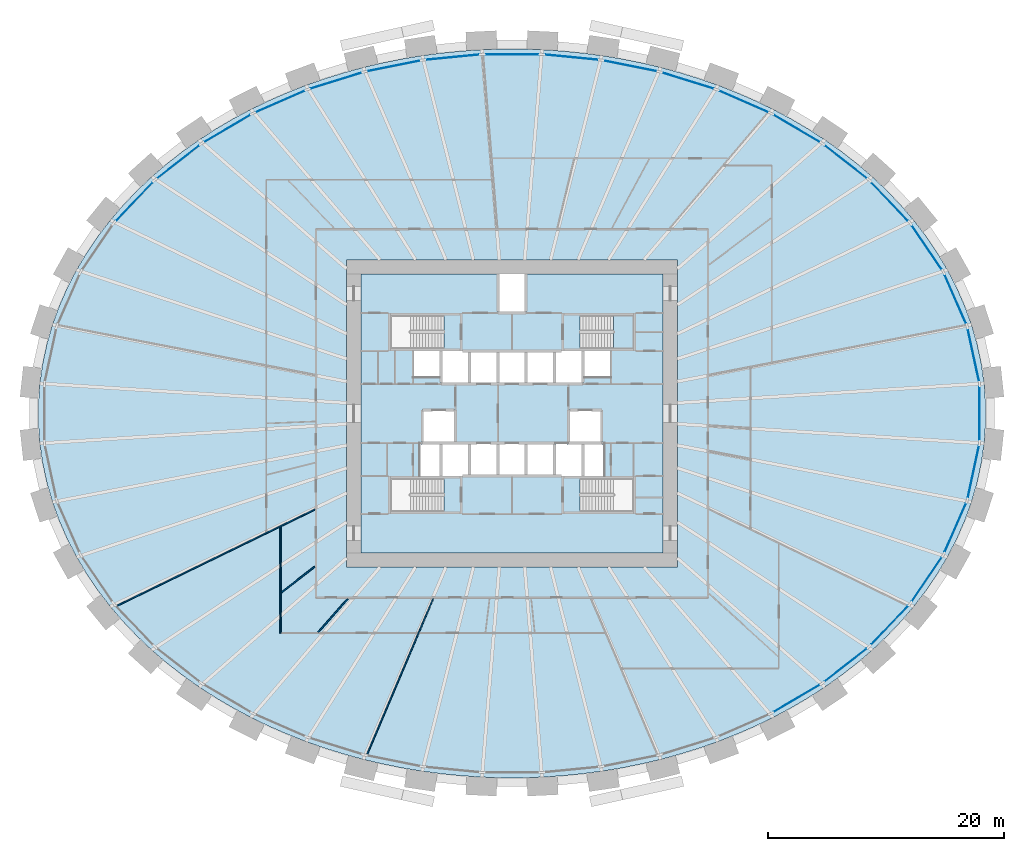
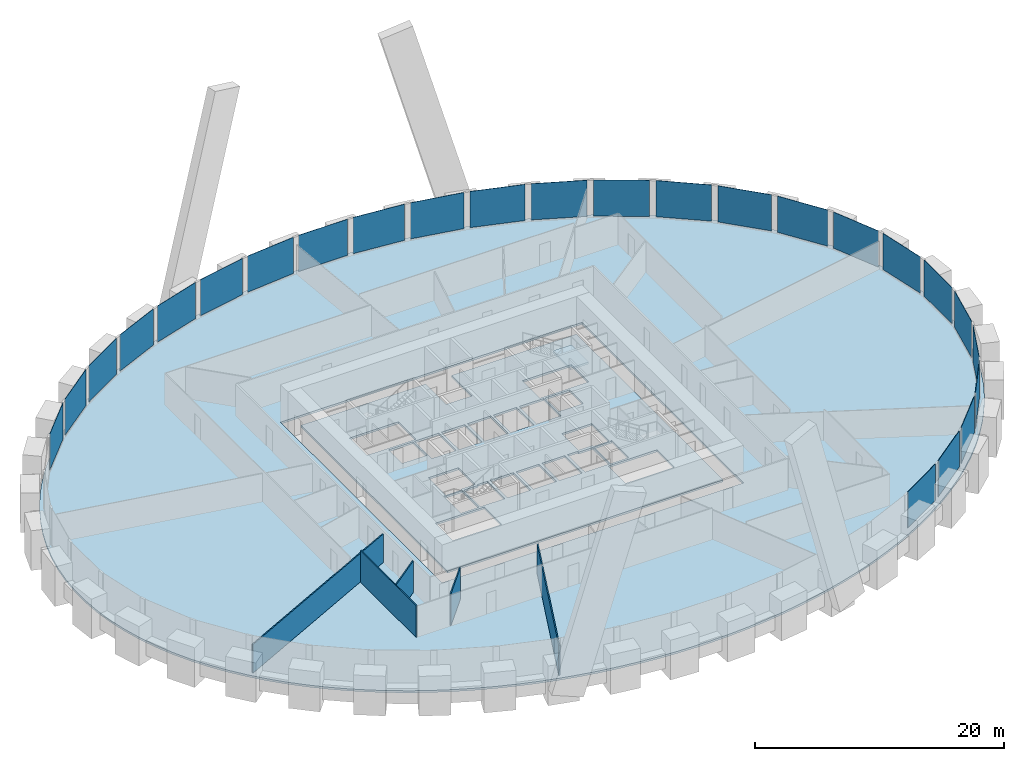
# One storey, part 5 of 11: 25 plates, 5 walls, 3 slabs, 2 elements without a shape of their own.
"""IFC4 building model written with IfcOpenShell, lengths in metres."""

from ifc_helpers import new_model, si_unit, direction, frame, frame_2d, origin, origin_2d, place, context, subcontext, project, spatial, polyline, rectangle, outline, extrude, source, transform, mapped, material, layer, layer_set, type_object, element, aggregate, save


model = new_model("IFC4")

# Units and contexts
model_context = context("Model", 3, precision=1e-05, world=origin(), true_north=direction((0.0, 1.0)))
body_context = subcontext(model_context, "Body", "Model", "MODEL_VIEW")
ifc_project = project(units=[si_unit("LENGTHUNIT", "METRE"), si_unit("AREAUNIT", "SQUARE_METRE"), si_unit("VOLUMEUNIT", "CUBIC_METRE"), si_unit("PLANEANGLEUNIT", "RADIAN"), si_unit("MASSUNIT", "GRAM", prefix="KILO")], contexts=[model_context])

# Site, building, storey
site_placement = place(None, origin())
site = spatial("IfcSite", under=ifc_project, at=site_placement, CompositionType="ELEMENT")
building_placement = place(site_placement, origin())
building = spatial("IfcBuilding", under=site, at=building_placement, Name="Embergate Tower", CompositionType="ELEMENT")
storey_placement = place(building_placement, frame((0.0, 0.0, 73.699951171875)))
storey = spatial("IfcBuildingStorey", under=building, at=storey_placement, Name="L14", CompositionType="ELEMENT", Elevation=73.699951171875)

# Slab
ifc_material_1 = material(Name="Concrete C40", Category="concrete")
ifc_layer_1 = layer(ifc_material_1, 0.199951171875)
ifc_layer_set_1 = layer_set([ifc_layer_1], Name="Concrete C40")
slab_type_1 = type_object("IfcSlabType", Name="Composite floor slab C40 200", PredefinedType="FLOOR", material=ifc_layer_set_1)
shared_shape_1 = source(origin(), body_context, "Body", "SweptSolid", [
    extrude(outline(polyline([(0.0, 0.0), (1.69580078125, 0.0), (3.391845703125, 0.054931640625), (5.087890625, 0.166015625), (6.77685546875, 0.33203125), (8.454833984375, 0.552978515625), (10.135986328125, 0.8310546875), (11.798828125, 1.1650390625), (13.44287109375, 1.552978515625), (15.08984375, 2.0029296875), (16.7099609375, 2.508056640625), (18.2998046875, 3.06591796875), (19.891845703125, 3.69189453125), (21.447021484375, 4.37109375), (22.9599609375, 5.10400390625), (24.472900390625, 5.910888671875), (25.934814453125, 6.77099609375), (27.344970703125, 7.681884765625), (28.744873046875, 8.675048828125), (30.0830078125, 9.718994140625), (31.35400390625, 10.81103515625), (32.601806640625, 11.991943359375), (33.77197265625, 13.219970703125), (34.86279296875, 14.489990234375), (35.908935546875, 15.85302734375), (36.86181640625, 17.256103515625), (37.720947265625, 18.694091796875), (38.5078125, 20.216064453125), (39.18896484375, 21.76904296875), (39.761962890625, 23.346923828125), (40.23486328125, 24.987060546875), (40.591796875, 26.64404296875), (40.830810546875, 28.31396484375), (40.951904296875, 30.007080078125), (40.951904296875, 31.700927734375), (40.830810546875, 33.39404296875), (40.591796875, 35.06396484375), (40.23486328125, 36.720947265625), (39.761962890625, 38.361083984375), (39.18896484375, 39.93896484375), (38.5078125, 41.491943359375), (37.720947265625, 43.013916015625), (36.86181640625, 44.451904296875), (35.908935546875, 45.85498046875), (34.86279296875, 47.218017578125), (33.77197265625, 48.488037109375), (32.601806640625, 49.716064453125), (31.35400390625, 50.89697265625), (30.0830078125, 51.989013671875), (28.744873046875, 53.032958984375), (27.344970703125, 54.026123046875), (25.934814453125, 54.93701171875), (24.472900390625, 55.797119140625), (22.9599609375, 56.60400390625), (21.447021484375, 57.3369140625), (19.891845703125, 58.01611328125), (18.2998046875, 58.64208984375), (16.7099609375, 59.199951171875), (15.08984375, 59.705078125), (13.44287109375, 60.155029296875), (11.798828125, 60.54296875), (10.135986328125, 60.876953125), (8.454833984375, 61.155029296875), (6.77685546875, 61.3759765625), (5.087890625, 61.5419921875), (3.391845703125, 61.653076171875), (1.69580078125, 61.7080078125), (0.0, 61.7080078125), (-1.696044921875, 61.653076171875), (-3.39208984375, 61.5419921875), (-5.0810546875, 61.3759765625), (-6.759033203125, 61.155029296875), (-8.440185546875, 60.876953125), (-10.10302734375, 60.54296875), (-11.7470703125, 60.155029296875), (-13.39404296875, 59.705078125), (-15.01416015625, 59.199951171875), (-16.60400390625, 58.64208984375), (-18.196044921875, 58.01611328125), (-19.751220703125, 57.3369140625), (-21.26416015625, 56.60400390625), (-22.777099609375, 55.797119140625), (-24.239013671875, 54.93701171875), (-25.649169921875, 54.026123046875), (-27.049072265625, 53.032958984375), (-28.38720703125, 51.989013671875), (-29.658203125, 50.89697265625), (-30.906005859375, 49.716064453125), (-32.076171875, 48.488037109375), (-33.1669921875, 47.218017578125), (-34.213134765625, 45.85498046875), (-35.166015625, 44.451904296875), (-36.025146484375, 43.013916015625), (-36.81201171875, 41.491943359375), (-37.4931640625, 39.93896484375), (-38.066162109375, 38.361083984375), (-38.5390625, 36.720947265625), (-38.89599609375, 35.06396484375), (-39.135009765625, 33.39404296875), (-39.256103515625, 31.700927734375), (-39.256103515625, 30.007080078125), (-39.135009765625, 28.31396484375), (-38.89599609375, 26.64404296875), (-38.5390625, 24.987060546875), (-38.066162109375, 23.346923828125), (-37.4931640625, 21.76904296875), (-36.81201171875, 20.216064453125), (-36.025146484375, 18.694091796875), (-35.166015625, 17.256103515625), (-34.213134765625, 15.85302734375), (-33.1669921875, 14.489990234375), (-32.076171875, 13.219970703125), (-30.906005859375, 11.991943359375), (-29.658203125, 10.81103515625), (-28.38720703125, 9.718994140625), (-27.049072265625, 8.675048828125), (-25.649169921875, 7.681884765625), (-24.239013671875, 6.77099609375), (-22.777099609375, 5.910888671875), (-21.26416015625, 5.10400390625), (-19.751220703125, 4.37109375), (-18.196044921875, 3.69189453125), (-16.60400390625, 3.06591796875), (-15.01416015625, 2.508056640625), (-13.39404296875, 2.0029296875), (-11.7470703125, 1.552978515625), (-10.10302734375, 1.1650390625), (-8.440185546875, 0.8310546875), (-6.759033203125, 0.552978515625), (-5.0810546875, 0.33203125), (-3.39208984375, 0.166015625), (-1.696044921875, 0.054931640625), (0.0, 0.0)]), holes=[polyline([(-13.152099609375, 17.85400390625), (-13.152099609375, 43.85400390625), (14.847900390625, 43.85400390625), (14.847900390625, 17.85400390625), (-13.152099609375, 17.85400390625)])]), origin(), (0.0, 0.0, 1.0), 0.199951171875),
])
slab_1_placement = place(storey_placement, frame((-0.847900390625, -30.85400390625, -0.199951171875)))
element("IfcSlab", 1, at=slab_1_placement, inside=storey, type_object=slab_type_1, Name="SLB-L14-00", PredefinedType="FLOOR", context=body_context, shape_type="MappedRepresentation", body=[
    mapped(shared_shape_1, transform((0.0, 0.0, 0.0))),
])

# Curtain wall, plates
ifc_material_2 = material(Name="Aluminium and glass", Category="aluminium")
curtain_wall_type = type_object("IfcCurtainWallType", Name="Recessed office glazing", PredefinedType="NOTDEFINED", material=ifc_material_2)
curtain_wall_placement = place(storey_placement, origin())
curtain_wall = element("IfcCurtainWall", 2, at=curtain_wall_placement, inside=storey, type_object=curtain_wall_type, Name="Recessed office glazing ring", ObjectType="RECESSED OFFICE GLAZING", PredefinedType="USERDEFINED")
ifc_material_3 = material(Name="Triple glazing, low-emissivity coating", Category="glass")
ifc_layer_2 = layer(ifc_material_3, 0.035888671875)
ifc_layer_set_2 = layer_set([ifc_layer_2], Name="Triple glazing, low-emissivity coating")
plate_type = type_object("IfcPlateType", Name="Office glazing unit", PredefinedType="CURTAIN_PANEL", material=ifc_layer_set_2)
shared_shape_2 = source(origin(), body_context, "Body", "SweptSolid", [
    extrude(rectangle(XDim=4.50390625, YDim=0.035888671875, at=origin_2d()), origin(), (0.0, 0.0, 1.0), 3.550048828125),
])
plate_1_placement = place(storey_placement, frame((31.978515625, 17.935546875, 0.14990234375), z_axis=(0.0, 0.0, 1.0), x_axis=(-0.690129995266, 0.723685421737, 0.0)))
plate_1 = element("IfcPlate", 3, at=plate_1_placement, type_object=plate_type, Name="CW panel 4.1", PredefinedType="CURTAIN_PANEL", context=body_context, shape_type="MappedRepresentation", body=[
    mapped(shared_shape_2, transform((0.0, 0.0, 0.0))),
])
plate_2_placement = place(storey_placement, frame((-31.978515625, 17.935546875, 0.14990234375), z_axis=(0.0, 0.0, 1.0), x_axis=(-0.690129995266, -0.723685421737, 0.0)))
plate_2 = element("IfcPlate", 4, at=plate_2_placement, type_object=plate_type, Name="CW panel 18.1", PredefinedType="CURTAIN_PANEL", context=body_context, shape_type="MappedRepresentation", body=[
    mapped(shared_shape_2, transform((0.0, 0.0, 0.0))),
])
plate_3_placement = place(storey_placement, frame((31.978515625, -17.935546875, 0.14990234375), z_axis=(0.0, 0.0, 1.0), x_axis=(0.690129995266, 0.723685421737, 0.0)))
plate_3 = element("IfcPlate", 5, at=plate_3_placement, type_object=plate_type, Name="CW panel 40.1", PredefinedType="CURTAIN_PANEL", context=body_context, shape_type="MappedRepresentation", body=[
    mapped(shared_shape_2, transform((0.0, 0.0, 0.0))),
])
shared_shape_3 = source(origin(), body_context, "Body", "SweptSolid", [
    extrude(rectangle(XDim=4.479248046875, YDim=0.035888671875, at=origin_2d()), origin(), (0.0, 0.0, 1.0), 3.550048828125),
])
plate_4_placement = place(storey_placement, frame((39.069091796875, 4.94189453125, 0.14990234375), z_axis=(0.0, 0.0, 1.0), x_axis=(-0.210394978653, 0.977616465163, 0.0)))
plate_4 = element("IfcPlate", 6, at=plate_4_placement, type_object=plate_type, Name="CW panel 1.1", PredefinedType="CURTAIN_PANEL", context=body_context, shape_type="MappedRepresentation", body=[
    mapped(shared_shape_3, transform((0.0, 0.0, 0.0))),
])
plate_5_placement = place(storey_placement, frame((39.069091796875, -4.94189453125, 0.14990234375), z_axis=(0.0, 0.0, 1.0), x_axis=(0.210394978653, 0.977616465163, 0.0)))
plate_5 = element("IfcPlate", 7, at=plate_5_placement, type_object=plate_type, Name="CW panel 43.1", PredefinedType="CURTAIN_PANEL", context=body_context, shape_type="MappedRepresentation", body=[
    mapped(shared_shape_3, transform((0.0, 0.0, 0.0))),
])
shared_shape_4 = source(origin(), body_context, "Body", "SweptSolid", [
    extrude(rectangle(XDim=4.486328125, YDim=0.035888671875, at=origin_2d()), origin(), (0.0, 0.0, 1.0), 3.550048828125),
])
plate_6_placement = place(storey_placement, frame((37.537841796875, 9.677978515625, 0.14990234375), z_axis=(0.0, 0.0, 1.0), x_axis=(-0.401647306074, 0.915794431913, 0.0)))
plate_6 = element("IfcPlate", 8, at=plate_6_placement, type_object=plate_type, Name="CW panel 2.1", PredefinedType="CURTAIN_PANEL", context=body_context, shape_type="MappedRepresentation", body=[
    mapped(shared_shape_4, transform((0.0, 0.0, 0.0))),
])
plate_7_placement = place(storey_placement, frame((37.537841796875, -9.677978515625, 0.14990234375), z_axis=(0.0, 0.0, 1.0), x_axis=(0.401647306074, 0.915794431913, 0.0)))
plate_7 = element("IfcPlate", 9, at=plate_7_placement, type_object=plate_type, Name="CW panel 42.1", PredefinedType="CURTAIN_PANEL", context=body_context, shape_type="MappedRepresentation", body=[
    mapped(shared_shape_4, transform((0.0, 0.0, 0.0))),
])
shared_shape_5 = source(origin(), body_context, "Body", "SweptSolid", [
    extrude(rectangle(XDim=4.495361328125, YDim=0.035888671875, at=origin_2d()), origin(), (0.0, 0.0, 1.0), 3.550048828125),
])
plate_8_placement = place(storey_placement, frame((35.122314453125, 14.044189453125, 0.14990234375), z_axis=(0.0, 0.0, 1.0), x_axis=(-0.562337412243, 0.826907875638, 0.0)))
plate_8 = element("IfcPlate", 10, at=plate_8_placement, type_object=plate_type, Name="CW panel 3.1", PredefinedType="CURTAIN_PANEL", context=body_context, shape_type="MappedRepresentation", body=[
    mapped(shared_shape_5, transform((0.0, 0.0, 0.0))),
])
plate_9_placement = place(storey_placement, frame((35.122314453125, -14.044189453125, 0.14990234375), z_axis=(0.0, 0.0, 1.0), x_axis=(0.562337412243, 0.826907875638, 0.0)))
plate_9 = element("IfcPlate", 11, at=plate_9_placement, type_object=plate_type, Name="CW panel 41.1", PredefinedType="CURTAIN_PANEL", context=body_context, shape_type="MappedRepresentation", body=[
    mapped(shared_shape_5, transform((0.0, 0.0, 0.0))),
])
shared_shape_6 = source(origin(), body_context, "Body", "SweptSolid", [
    extrude(rectangle(XDim=4.51171875, YDim=0.035888671875, at=origin_2d()), origin(), (0.0, 0.0, 1.0), 3.550048828125),
])
plate_10_placement = place(storey_placement, frame((28.26171875, 21.301513671875, 0.14990234375), z_axis=(0.0, 0.0, 1.0), x_axis=(-0.788316897722, 0.615269427784, 0.0)))
plate_10 = element("IfcPlate", 12, at=plate_10_placement, type_object=plate_type, Name="CW panel 5.1", PredefinedType="CURTAIN_PANEL", context=body_context, shape_type="MappedRepresentation", body=[
    mapped(shared_shape_6, transform((0.0, 0.0, 0.0))),
])
plate_11_placement = place(storey_placement, frame((-28.26171875, 21.301513671875, 0.14990234375), z_axis=(0.0, 0.0, 1.0), x_axis=(-0.788316897722, -0.615269427784, 0.0)))
plate_11 = element("IfcPlate", 13, at=plate_11_placement, type_object=plate_type, Name="CW panel 17.1", PredefinedType="CURTAIN_PANEL", context=body_context, shape_type="MappedRepresentation", body=[
    mapped(shared_shape_6, transform((0.0, 0.0, 0.0))),
])
plate_12_placement = place(storey_placement, frame((28.26171875, -21.301513671875, 0.14990234375), z_axis=(0.0, 0.0, 1.0), x_axis=(0.788316897722, 0.615269427784, 0.0)))
plate_12 = element("IfcPlate", 14, at=plate_12_placement, type_object=plate_type, Name="CW panel 39.1", PredefinedType="CURTAIN_PANEL", context=body_context, shape_type="MappedRepresentation", body=[
    mapped(shared_shape_6, transform((0.0, 0.0, 0.0))),
])
shared_shape_7 = source(origin(), body_context, "Body", "SweptSolid", [
    extrude(rectangle(XDim=4.517578125, YDim=0.035888671875, at=origin_2d()), origin(), (0.0, 0.0, 1.0), 3.550048828125),
])
plate_13_placement = place(storey_placement, frame((24.107177734375, 24.1259765625, 0.14990234375), z_axis=(0.0, 0.0, 1.0), x_axis=(-0.862050514108, 0.506822366443, 0.0)))
plate_13 = element("IfcPlate", 15, at=plate_13_placement, type_object=plate_type, Name="CW panel 6.1", PredefinedType="CURTAIN_PANEL", context=body_context, shape_type="MappedRepresentation", body=[
    mapped(shared_shape_7, transform((0.0, 0.0, 0.0))),
])
plate_14_placement = place(storey_placement, frame((-24.107177734375, 24.1259765625, 0.14990234375), z_axis=(0.0, 0.0, 1.0), x_axis=(-0.862050514108, -0.506822366443, 0.0)))
plate_14 = element("IfcPlate", 16, at=plate_14_placement, type_object=plate_type, Name="CW panel 16.1", PredefinedType="CURTAIN_PANEL", context=body_context, shape_type="MappedRepresentation", body=[
    mapped(shared_shape_7, transform((0.0, 0.0, 0.0))),
])
plate_15_placement = place(storey_placement, frame((24.107177734375, -24.1259765625, 0.14990234375), z_axis=(0.0, 0.0, 1.0), x_axis=(0.862050514108, 0.506822366443, 0.0)))
plate_15 = element("IfcPlate", 17, at=plate_15_placement, type_object=plate_type, Name="CW panel 38.1", PredefinedType="CURTAIN_PANEL", context=body_context, shape_type="MappedRepresentation", body=[
    mapped(shared_shape_7, transform((0.0, 0.0, 0.0))),
])
shared_shape_8 = source(origin(), body_context, "Body", "SweptSolid", [
    extrude(rectangle(XDim=4.522216796875, YDim=0.035888671875, at=origin_2d()), origin(), (0.0, 0.0, 1.0), 3.550048828125),
])
plate_16_placement = place(storey_placement, frame((19.6259765625, 26.41259765625, 0.14990234375), z_axis=(0.0, 0.0, 1.0), x_axis=(-0.91623411399, 0.400643293168, 0.0)))
plate_16 = element("IfcPlate", 18, at=plate_16_placement, type_object=plate_type, Name="CW panel 7.1", PredefinedType="CURTAIN_PANEL", context=body_context, shape_type="MappedRepresentation", body=[
    mapped(shared_shape_8, transform((0.0, 0.0, 0.0))),
])
plate_17_placement = place(storey_placement, frame((-19.6259765625, 26.41259765625, 0.14990234375), z_axis=(0.0, 0.0, 1.0), x_axis=(-0.91623411399, -0.400643293168, 0.0)))
plate_17 = element("IfcPlate", 19, at=plate_17_placement, type_object=plate_type, Name="CW panel 15.1", PredefinedType="CURTAIN_PANEL", context=body_context, shape_type="MappedRepresentation", body=[
    mapped(shared_shape_8, transform((0.0, 0.0, 0.0))),
])
shared_shape_9 = source(origin(), body_context, "Body", "SweptSolid", [
    extrude(rectangle(XDim=4.525390625, YDim=0.035888671875, at=origin_2d()), origin(), (0.0, 0.0, 1.0), 3.550048828125),
])
plate_18_placement = place(storey_placement, frame((14.9072265625, 28.172607421875, 0.14990234375), z_axis=(0.0, 0.0, 1.0), x_axis=(-0.954771179262, 0.297341546458, 0.0)))
plate_18 = element("IfcPlate", 20, at=plate_18_placement, type_object=plate_type, Name="CW panel 8.1", PredefinedType="CURTAIN_PANEL", context=body_context, shape_type="MappedRepresentation", body=[
    mapped(shared_shape_9, transform((0.0, 0.0, 0.0))),
])
plate_19_placement = place(storey_placement, frame((-14.9072265625, 28.172607421875, 0.14990234375), z_axis=(0.0, 0.0, 1.0), x_axis=(-0.954771179262, -0.297341546458, 0.0)))
plate_19 = element("IfcPlate", 21, at=plate_19_placement, type_object=plate_type, Name="CW panel 14.1", PredefinedType="CURTAIN_PANEL", context=body_context, shape_type="MappedRepresentation", body=[
    mapped(shared_shape_9, transform((0.0, 0.0, 0.0))),
])
shared_shape_10 = source(origin(), body_context, "Body", "SweptSolid", [
    extrude(rectangle(XDim=4.527587890625, YDim=0.035888671875, at=origin_2d()), origin(), (0.0, 0.0, 1.0), 3.550048828125),
])
plate_20_placement = place(storey_placement, frame((10.024169921875, 29.419189453125, 0.14990234375), z_axis=(0.0, 0.0, 1.0), x_axis=(-0.980475221003, 0.196642673395, 0.0)))
plate_20 = element("IfcPlate", 22, at=plate_20_placement, type_object=plate_type, Name="CW panel 9.1", PredefinedType="CURTAIN_PANEL", context=body_context, shape_type="MappedRepresentation", body=[
    mapped(shared_shape_10, transform((0.0, 0.0, 0.0))),
])
plate_21_placement = place(storey_placement, frame((-10.024169921875, 29.419189453125, 0.14990234375), z_axis=(0.0, 0.0, 1.0), x_axis=(-0.980475221003, -0.196642673395, 0.0)))
plate_21 = element("IfcPlate", 23, at=plate_21_placement, type_object=plate_type, Name="CW panel 13.1", PredefinedType="CURTAIN_PANEL", context=body_context, shape_type="MappedRepresentation", body=[
    mapped(shared_shape_10, transform((0.0, 0.0, 0.0))),
])
shared_shape_11 = source(origin(), body_context, "Body", "SweptSolid", [
    extrude(rectangle(XDim=4.529052734375, YDim=0.035888671875, at=origin_2d()), origin(), (0.0, 0.0, 1.0), 3.550048828125),
])
plate_22_placement = place(storey_placement, frame((5.037109375, 30.162353515625, 0.14990234375), z_axis=(0.0, 0.0, 1.0), x_axis=(-0.995203014042, 0.097831287645, 0.0)))
plate_22 = element("IfcPlate", 24, at=plate_22_placement, type_object=plate_type, Name="CW panel 10.1", PredefinedType="CURTAIN_PANEL", context=body_context, shape_type="MappedRepresentation", body=[
    mapped(shared_shape_11, transform((0.0, 0.0, 0.0))),
])
plate_23_placement = place(storey_placement, frame((-5.037109375, 30.162353515625, 0.14990234375), z_axis=(0.0, 0.0, 1.0), x_axis=(-0.995203014042, -0.097831287645, 0.0)))
plate_23 = element("IfcPlate", 25, at=plate_23_placement, type_object=plate_type, Name="CW panel 12.1", PredefinedType="CURTAIN_PANEL", context=body_context, shape_type="MappedRepresentation", body=[
    mapped(shared_shape_11, transform((0.0, 0.0, 0.0))),
])
shared_shape_12 = source(origin(), body_context, "Body", "SweptSolid", [
    extrude(rectangle(XDim=4.529296875, YDim=0.035888671875, at=origin_2d()), origin(), (0.0, 0.0, 1.0), 3.550048828125),
])
plate_24_placement = place(storey_placement, frame((0.0, 30.409423828125, 0.14990234375), z_axis=(0.0, 0.0, 1.0), x_axis=(-1.0, 0.0, 0.0)))
plate_24 = element("IfcPlate", 26, at=plate_24_placement, type_object=plate_type, Name="CW panel 11.1", PredefinedType="CURTAIN_PANEL", context=body_context, shape_type="MappedRepresentation", body=[
    mapped(shared_shape_12, transform((0.0, 0.0, 0.0))),
])
shared_shape_13 = source(origin(), body_context, "Body", "SweptSolid", [
    extrude(rectangle(XDim=4.4765625, YDim=0.035888671875, at=origin_2d()), origin(), (0.0, 0.0, 1.0), 3.550048828125),
])
plate_25_placement = place(storey_placement, frame((39.59521484375, 0.0, 0.14990234375), z_axis=(0.0, 0.0, 1.0), x_axis=(0.0, 1.0, 0.0)))
plate_25 = element("IfcPlate", 27, at=plate_25_placement, type_object=plate_type, Name="CW panel 44.1", PredefinedType="CURTAIN_PANEL", context=body_context, shape_type="MappedRepresentation", body=[
    mapped(shared_shape_13, transform((0.0, 0.0, 0.0))),
])
aggregate(curtain_wall, [plate_4, plate_6, plate_8, plate_1, plate_10, plate_13, plate_16, plate_18, plate_20, plate_22, plate_24, plate_23, plate_21, plate_19, plate_17, plate_14, plate_11, plate_2, plate_15, plate_12, plate_3, plate_9, plate_7, plate_5, plate_25])

# Stair, slab
ifc_material_4 = material(Name="Exit stair")
stair_type = type_object("IfcStairType", Name="Exit stair", PredefinedType="HALF_TURN_STAIR", material=ifc_material_4)
stair_placement = place(storey_placement, origin())
stair = element("IfcStair", 28, at=stair_placement, inside=storey, type_object=stair_type, Name="L14 Exit stair 2", PredefinedType="HALF_TURN_STAIR")
ifc_layer_3 = layer(ifc_material_1, 0.199951171875)
ifc_layer_set_3 = layer_set([ifc_layer_3], Name="Concrete C40")
slab_type_2 = type_object("IfcSlabType", Name="Stair landing reinforced concrete", PredefinedType="LANDING", material=ifc_layer_set_3)
shared_shape_14 = source(origin(), body_context, "Body", "SweptSolid", [
    extrude(outline(polyline([(0.0, 0.0), (1.68994140625, 0.0), (1.68994140625, 2.800048828125), (0.0, 2.800048828125), (0.0, 0.0)])), origin(), (0.0, 0.0, 1.0), 0.199951171875),
])
slab_2_placement = place(storey_placement, frame((8.610107421875, 5.5, 1.75)))
slab_2 = element("IfcSlab", 29, at=slab_2_placement, type_object=slab_type_2, Name="ST2 landing 1", PredefinedType="LANDING", context=body_context, shape_type="MappedRepresentation", body=[
    mapped(shared_shape_14, transform((0.0, 0.0, 0.0))),
])
aggregate(stair, [slab_2])

# Slab
ifc_layer_4 = layer(ifc_material_1, 0.199951171875)
ifc_layer_set_4 = layer_set([ifc_layer_4], Name="Concrete C40")
slab_type_3 = type_object("IfcSlabType", Name="Core floor slab 200 reinforced concrete", PredefinedType="FLOOR", material=ifc_layer_set_4)
shared_shape_15 = source(origin(), body_context, "Body", "SweptSolid", [
    extrude(outline(polyline([(0.0, 0.0), (25.60009765625, 0.0), (25.60009765625, 23.60009765625), (14.0, 23.60009765625), (14.0, 20.300048828125), (11.60009765625, 20.300048828125), (11.60009765625, 23.60009765625), (0.0, 23.60009765625), (0.0, 0.0)]), holes=[polyline([(2.5, 3.5), (2.5, 6.300048828125), (7.0400390625, 6.300048828125), (7.0400390625, 3.5), (2.5, 3.5)]), polyline([(18.56005859375, 3.5), (18.56005859375, 6.300048828125), (23.10009765625, 6.300048828125), (23.10009765625, 3.5), (18.56005859375, 3.5)]), polyline([(5.0, 6.5), (5.0, 9.300048828125), (5.074951171875, 9.300048828125), (5.074951171875, 9.175048828125), (6.675048828125, 9.175048828125), (6.675048828125, 6.5), (5.0, 6.5)]), polyline([(6.800048828125, 6.5), (6.800048828125, 9.175048828125), (8.125, 9.175048828125), (8.125, 9.300048828125), (9.074951171875, 9.300048828125), (9.074951171875, 6.5), (6.800048828125, 6.5)]), polyline([(9.324951171875, 6.5), (9.324951171875, 9.300048828125), (11.47509765625, 9.300048828125), (11.47509765625, 6.5), (9.324951171875, 6.5)]), polyline([(11.72509765625, 6.5), (11.72509765625, 9.300048828125), (13.875, 9.300048828125), (13.875, 6.5), (11.72509765625, 6.5)]), polyline([(14.125, 6.5), (14.125, 9.300048828125), (16.275146484375, 9.300048828125), (16.275146484375, 6.5), (14.125, 6.5)]), polyline([(16.525146484375, 6.5), (16.525146484375, 9.300048828125), (17.47509765625, 9.300048828125), (17.47509765625, 9.175048828125), (18.800048828125, 9.175048828125), (18.800048828125, 6.5), (16.525146484375, 6.5)]), polyline([(18.925048828125, 6.5), (18.925048828125, 9.175048828125), (20.525146484375, 9.175048828125), (20.525146484375, 9.300048828125), (20.60009765625, 9.300048828125), (20.60009765625, 6.5), (18.925048828125, 6.5)]), polyline([(5.199951171875, 9.300048828125), (5.199951171875, 12.10009765625), (8.0, 12.10009765625), (8.0, 9.425048828125), (6.675048828125, 9.425048828125), (6.675048828125, 9.300048828125), (5.199951171875, 9.300048828125)]), polyline([(18.925048828125, 9.300048828125), (18.925048828125, 9.425048828125), (17.60009765625, 9.425048828125), (17.60009765625, 12.10009765625), (20.400146484375, 12.10009765625), (20.400146484375, 9.300048828125), (18.925048828125, 9.300048828125)]), polyline([(6.800048828125, 14.300048828125), (6.800048828125, 17.10009765625), (9.074951171875, 17.10009765625), (9.074951171875, 14.300048828125), (6.800048828125, 14.300048828125)]), polyline([(9.324951171875, 14.300048828125), (9.324951171875, 17.10009765625), (11.47509765625, 17.10009765625), (11.47509765625, 14.300048828125), (9.324951171875, 14.300048828125)]), polyline([(11.72509765625, 14.300048828125), (11.72509765625, 17.10009765625), (13.875, 17.10009765625), (13.875, 14.300048828125), (11.72509765625, 14.300048828125)]), polyline([(14.125, 14.300048828125), (14.125, 17.10009765625), (16.275146484375, 17.10009765625), (16.275146484375, 14.300048828125), (14.125, 14.300048828125)]), polyline([(16.525146484375, 14.300048828125), (16.525146484375, 17.10009765625), (18.800048828125, 17.10009765625), (18.800048828125, 14.300048828125), (16.525146484375, 14.300048828125)]), polyline([(4.400146484375, 14.900146484375), (4.400146484375, 17.10009765625), (6.675048828125, 17.10009765625), (6.675048828125, 14.900146484375), (4.400146484375, 14.900146484375)]), polyline([(18.925048828125, 14.900146484375), (18.925048828125, 17.10009765625), (21.199951171875, 17.10009765625), (21.199951171875, 14.900146484375), (18.925048828125, 14.900146484375)]), polyline([(2.5, 17.300048828125), (2.5, 20.10009765625), (7.0400390625, 20.10009765625), (7.0400390625, 17.300048828125), (2.5, 17.300048828125)]), polyline([(18.56005859375, 17.300048828125), (18.56005859375, 20.10009765625), (23.10009765625, 20.10009765625), (23.10009765625, 17.300048828125), (18.56005859375, 17.300048828125)])]), origin(), (0.0, 0.0, 1.0), 0.199951171875),
])
slab_3_placement = place(storey_placement, frame((-12.800048828125, -11.800048828125, -0.199951171875)))
element("IfcSlab", 30, at=slab_3_placement, inside=storey, type_object=slab_type_3, Name="Core floor slab", PredefinedType="FLOOR", context=body_context, shape_type="MappedRepresentation", body=[
    mapped(shared_shape_15, transform((0.0, 0.0, 0.0))),
])

# Walls
ifc_material_5 = material(Name="Partition dry-lined 100 wet")
ifc_layer_5 = layer(ifc_material_5, 0.10009765625)
ifc_layer_set_5 = layer_set([ifc_layer_5], Name="Partition dry-lined 100 wet")
wall_type = type_object("IfcWallType", Name="Partition dry-lined 100 wet", PredefinedType="PLUMBINGWALL", material=ifc_layer_set_5)
shared_shape_16 = source(origin(), body_context, "Body", "SweptSolid", [
    extrude(rectangle(XDim=18.715087890625, YDim=0.10009765625, at=frame_2d((9.357421875, 0.0))), origin(), (0.0, 0.0, 1.0), 2.800048828125),
])
wall_1_placement = place(storey_placement, frame((-33.52392578125, -16.321044921875, 0.0), z_axis=(0.0, 0.0, 1.0), x_axis=(0.899107311698, 0.437728274219, 0.0)))
element("IfcWall", 31, at=wall_1_placement, inside=storey, type_object=wall_type, Name="IP-1 wall", PredefinedType="PLUMBINGWALL", context=body_context, shape_type="MappedRepresentation", body=[
    mapped(shared_shape_16, transform((0.0, 0.0, 0.0))),
])
shared_shape_17 = source(origin(), body_context, "Body", "SweptSolid", [
    extrude(rectangle(XDim=3.561767578125, YDim=0.10009765625, at=frame_2d((1.78076171875, 0.0))), origin(), (0.0, 0.0, 1.0), 3.10009765625),
])
wall_2_placement = place(storey_placement, frame((-16.7060546875, -12.97509765625, 0.0), z_axis=(0.0, 0.0, 1.0), x_axis=(-0.789769101827, -0.613404243382, 0.0)))
element("IfcWall", 32, at=wall_2_placement, inside=storey, type_object=wall_type, Name="IP-1 wall", PredefinedType="PLUMBINGWALL", context=body_context, shape_type="MappedRepresentation", body=[
    mapped(shared_shape_17, transform((0.0, 0.0, 0.0))),
])
shared_shape_18 = source(origin(), body_context, "Body", "SweptSolid", [
    extrude(rectangle(XDim=8.97802734375, YDim=0.10009765625, at=frame_2d((4.489013671875, 0.0))), origin(), (0.0, 0.0, 1.0), 3.10009765625),
])
wall_3_placement = place(storey_placement, frame((-19.60009765625, -18.60009765625, 0.0), z_axis=(0.0, 0.0, 1.0), x_axis=(0.0, 1.0, 0.0)))
element("IfcWall", 33, at=wall_3_placement, inside=storey, type_object=wall_type, Name="IP-1 wall", PredefinedType="PLUMBINGWALL", context=body_context, shape_type="MappedRepresentation", body=[
    mapped(shared_shape_18, transform((0.0, 0.0, 0.0))),
])
shared_shape_19 = source(origin(), body_context, "Body", "SweptSolid", [
    extrude(rectangle(XDim=3.753173828125, YDim=0.10009765625, at=frame_2d((1.87646484375, 0.0))), origin(), (0.0, 0.0, 1.0), 3.10009765625),
])
wall_4_placement = place(storey_placement, frame((-13.919921875, -15.7080078125, 0.0), z_axis=(0.0, 0.0, 1.0), x_axis=(-0.663180002332, -0.748459941818, 0.0)))
element("IfcWall", 34, at=wall_4_placement, inside=storey, type_object=wall_type, Name="IP-1 wall", PredefinedType="PLUMBINGWALL", context=body_context, shape_type="MappedRepresentation", body=[
    mapped(shared_shape_19, transform((0.0, 0.0, 0.0))),
])
shared_shape_20 = source(origin(), body_context, "Body", "SweptSolid", [
    extrude(rectangle(XDim=14.41015625, YDim=0.10009765625, at=frame_2d((7.205078125, 0.0))), origin(), (0.0, 0.0, 1.0), 2.900146484375),
])
wall_5_placement = place(storey_placement, frame((-6.677978515625, -15.695068359375, 0.0), z_axis=(0.0, 0.0, 1.0), x_axis=(-0.391470314231, -0.920190737334, 0.0)))
element("IfcWall", 35, at=wall_5_placement, inside=storey, type_object=wall_type, Name="IP-1 wall", PredefinedType="PLUMBINGWALL", context=body_context, shape_type="MappedRepresentation", body=[
    mapped(shared_shape_20, transform((0.0, 0.0, 0.0))),
])

save(model, "model.ifc")
